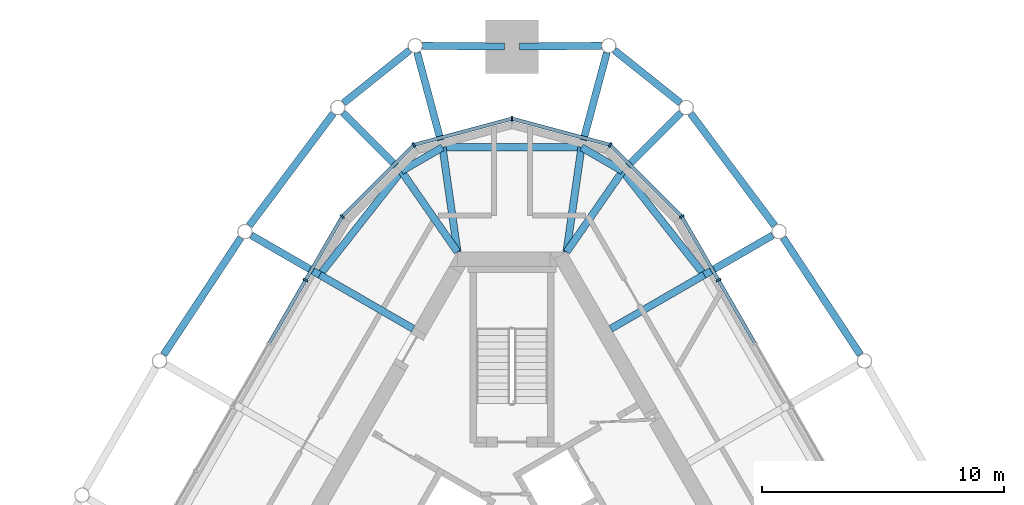
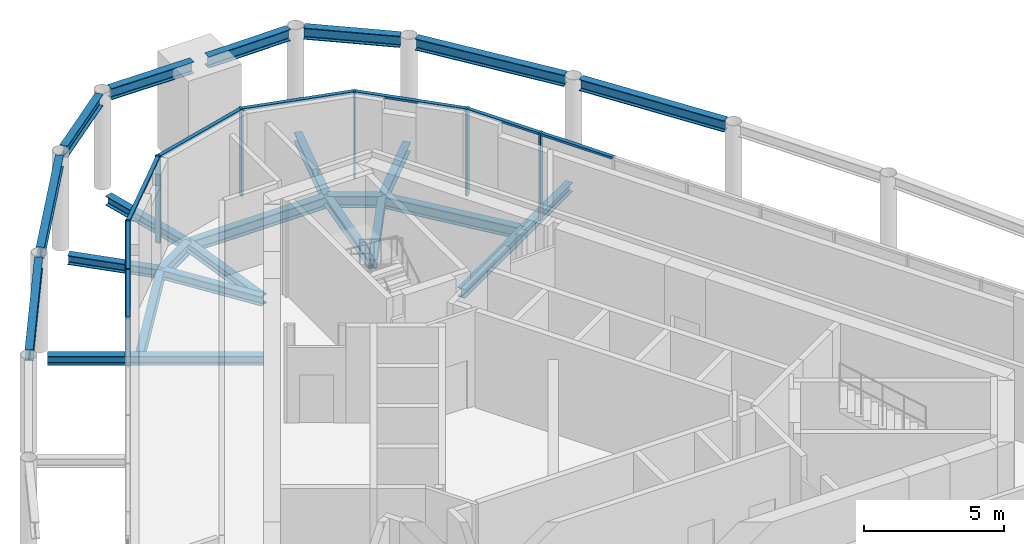
# One storey, part 5 of 11: 25 beams, 15 members, 3 elements without a shape of their own.
"""IFC4 building model written with IfcOpenShell, lengths in metres."""

from ifc_helpers import new_model, si_unit, direction, frame, origin, origin_2d, place, context, subcontext, project, spatial, rectangle, i_section, extrude, material, material_profile, profile_set, type_object, element, aggregate, save


model = new_model("IFC4")

# Units and contexts
model_context = context("Model", 3, precision=1e-05, world=origin(), true_north=direction((0.0, 1.0)))
body_context = subcontext(model_context, "Body", "Model", "MODEL_VIEW")
ifc_project = project(units=[si_unit("LENGTHUNIT", "METRE"), si_unit("AREAUNIT", "SQUARE_METRE"), si_unit("VOLUMEUNIT", "CUBIC_METRE"), si_unit("PLANEANGLEUNIT", "RADIAN"), si_unit("MASSUNIT", "GRAM", prefix="KILO")], contexts=[model_context])

# Site, building, storey
site_placement = place(None, origin())
site = spatial("IfcSite", under=ifc_project, at=site_placement, CompositionType="ELEMENT")
building_placement = place(site_placement, origin())
building = spatial("IfcBuilding", under=site, at=building_placement, Name="Mestral Congress Tower", CompositionType="ELEMENT")
storey_placement = place(building_placement, frame((0.0, 0.0, 344.39990234375)))
storey = spatial("IfcBuildingStorey", under=building, at=storey_placement, Name="L80", CompositionType="ELEMENT", Elevation=344.39990234375)

# Curtain wall, members
ifc_material_1 = material(Name="Glazed ceramic", Category="masonry")
curtain_wall_type = type_object("IfcCurtainWallType", Name="Facade plant louvre screen", PredefinedType="USERDEFINED", material=ifc_material_1)
placement = place(storey_placement, origin())
curtain_wall_1 = element("IfcCurtainWall", 1, at=placement, inside=storey, type_object=curtain_wall_type, Name="Plant louvre screen side 2", ObjectType="CURTAIN WALL", PredefinedType="USERDEFINED")
ifc_material_2 = material(Name="Anodised aluminium", Category="aluminium")
ifc_material_profile_1 = material_profile(ifc_material_2, rectangle(XDim=0.199951171875, YDim=0.080078125, at=origin_2d()), Name="CW6 mullion 200 x 80")
ifc_profile_set_1 = profile_set([ifc_material_profile_1], Name="Anodised aluminium")
member_type_1 = type_object("IfcMemberType", Name="Facade plant louvre screen mullion", PredefinedType="MULLION", material=ifc_profile_set_1)
member_1_placement = place(storey_placement, frame((8.525390625, 15.43359375, 0.0), z_axis=(0.0, 0.0, 1.0), x_axis=(0.866024531118, 0.500001511499, 0.0)))
member_1 = element("IfcMember", 2, at=member_1_placement, type_object=member_type_1, Name="Facade plant louvre screen mullion", PredefinedType="MULLION", context=body_context, shape_type="SweptSolid", body=[
    extrude(rectangle(XDim=0.199951171875, YDim=0.080078125, at=origin_2d()), origin(), (0.0, 0.0, 1.0), 3.800048828125),
])
member_2_placement = place(storey_placement, frame((7.00830078125, 18.061279296875, 0.0), z_axis=(0.0, 0.0, 1.0), x_axis=(0.866024531118, 0.500001511499, 0.0)))
member_2 = element("IfcMember", 3, at=member_2_placement, type_object=member_type_1, Name="Facade plant louvre screen mullion", PredefinedType="MULLION", context=body_context, shape_type="SweptSolid", body=[
    extrude(rectangle(XDim=0.199951171875, YDim=0.080078125, at=origin_2d()), origin(), (0.0, 0.0, 1.0), 3.800048828125),
])

curtain_wall_2 = element("IfcCurtainWall", 4, at=placement, inside=storey, type_object=curtain_wall_type, Name="Plant louvre screen corner 3", ObjectType="CURTAIN WALL", PredefinedType="USERDEFINED")
member_3_placement = place(storey_placement, frame((4.0517578125, 21.017822265625, 0.0), z_axis=(0.0, 0.0, 1.0), x_axis=(0.5, 0.866025403784, 0.0)))
member_3 = element("IfcMember", 5, at=member_3_placement, type_object=member_type_1, Name="Facade plant louvre screen mullion", PredefinedType="MULLION", context=body_context, shape_type="SweptSolid", body=[
    extrude(rectangle(XDim=0.199951171875, YDim=0.080078125, at=origin_2d()), origin(), (0.0, 0.0, 1.0), 3.800048828125),
])
member_4_placement = place(storey_placement, frame((0.0, 22.103515625, 0.0), z_axis=(0.0, 0.0, 1.0), x_axis=(0.0, 1.0, 0.0)))
member_4 = element("IfcMember", 6, at=member_4_placement, type_object=member_type_1, Name="Facade plant louvre screen mullion", PredefinedType="MULLION", context=body_context, shape_type="SweptSolid", body=[
    extrude(rectangle(XDim=0.199951171875, YDim=0.080078125, at=origin_2d()), origin(), (0.0, 0.0, 1.0), 3.800048828125),
])
member_5_placement = place(storey_placement, frame((-4.0517578125, 21.017822265625, 0.0), z_axis=(0.0, 0.0, 1.0), x_axis=(-0.5, 0.866025403784, 0.0)))
member_5 = element("IfcMember", 7, at=member_5_placement, type_object=member_type_1, Name="Facade plant louvre screen mullion", PredefinedType="MULLION", context=body_context, shape_type="SweptSolid", body=[
    extrude(rectangle(XDim=0.199951171875, YDim=0.080078125, at=origin_2d()), origin(), (0.0, 0.0, 1.0), 3.800048828125),
])
member_6_placement = place(storey_placement, frame((-7.00830078125, 18.061279296875, 0.0), z_axis=(0.0, 0.0, 1.0), x_axis=(-0.707106781187, 0.707106781187, 0.0)))
member_6 = element("IfcMember", 8, at=member_6_placement, type_object=member_type_1, Name="Facade plant louvre screen mullion", PredefinedType="MULLION", context=body_context, shape_type="SweptSolid", body=[
    extrude(rectangle(XDim=0.199951171875, YDim=0.080078125, at=origin_2d()), origin(), (0.0, 0.0, 1.0), 3.800048828125),
])

# Curtain wall, member
curtain_wall_3 = element("IfcCurtainWall", 9, at=placement, inside=storey, type_object=curtain_wall_type, Name="Plant louvre screen side 4", ObjectType="CURTAIN WALL", PredefinedType="USERDEFINED")
member_7_placement = place(storey_placement, frame((-8.525390625, 15.43359375, 0.0), z_axis=(0.0, 0.0, 1.0), x_axis=(-0.866024531118, 0.500001511499, 0.0)))
member_7 = element("IfcMember", 10, at=member_7_placement, type_object=member_type_1, Name="Facade plant louvre screen mullion", PredefinedType="MULLION", context=body_context, shape_type="SweptSolid", body=[
    extrude(rectangle(XDim=0.199951171875, YDim=0.080078125, at=origin_2d()), origin(), (0.0, 0.0, 1.0), 3.800048828125),
])

# Member
ifc_material_profile_2 = material_profile(ifc_material_2, rectangle(XDim=0.14990234375, YDim=0.10009765625, at=origin_2d()), Name="CW6 transom 150 x 100")
ifc_profile_set_2 = profile_set([ifc_material_profile_2], Name="Anodised aluminium")
member_type_2 = type_object("IfcMemberType", Name="Facade plant louvre screen transom", PredefinedType="USERDEFINED", material=ifc_profile_set_2)
member_8_placement = place(storey_placement, frame((10.022705078125, 12.84033203125, 3.75), z_axis=(-0.50002288008, 0.866012193561, 0.0), x_axis=(-0.866012193561, -0.50002288008, 0.0)))
member_8 = element("IfcMember", 11, at=member_8_placement, type_object=member_type_2, Name="Facade plant louvre screen transom", ObjectType="TRANSOM", PredefinedType="USERDEFINED", context=body_context, shape_type="SweptSolid", body=[
    extrude(rectangle(XDim=0.14990234375, YDim=0.10009765625, at=origin_2d()), origin(), (0.0, 0.0, 1.0), 2.954345703125),
])

member_9_placement = place(storey_placement, frame((8.50537109375, 15.46826171875, 3.75), z_axis=(-0.499960902066, 0.86604797581, 0.0), x_axis=(-0.86604797581, -0.499960902066, 0.0)))
member_9 = element("IfcMember", 12, at=member_9_placement, type_object=member_type_2, Name="Facade plant louvre screen transom", ObjectType="TRANSOM", PredefinedType="USERDEFINED", context=body_context, shape_type="SweptSolid", body=[
    extrude(rectangle(XDim=0.14990234375, YDim=0.10009765625, at=origin_2d()), origin(), (0.0, 0.0, 1.0), 2.954345703125),
])

aggregate(curtain_wall_1, [member_1, member_2, member_8, member_9])

member_10_placement = place(storey_placement, frame((6.97998046875, 18.089599609375, 3.75), z_axis=(-0.707106781187, 0.707106781187, 0.0), x_axis=(-0.707106781187, -0.707106781187, 0.0)))
member_10 = element("IfcMember", 13, at=member_10_placement, type_object=member_type_2, Name="Facade plant louvre screen transom", ObjectType="TRANSOM", PredefinedType="USERDEFINED", context=body_context, shape_type="SweptSolid", body=[
    extrude(rectangle(XDim=0.14990234375, YDim=0.10009765625, at=origin_2d()), origin(), (0.0, 0.0, 1.0), 4.10107421875),
])

member_11_placement = place(storey_placement, frame((4.01318359375, 21.0283203125, 3.75), z_axis=(-0.965928983476, 0.258807262034, 0.0), x_axis=(-0.258807262034, -0.965928983476, 0.0)))
member_11 = element("IfcMember", 14, at=member_11_placement, type_object=member_type_2, Name="Facade plant louvre screen transom", ObjectType="TRANSOM", PredefinedType="USERDEFINED", context=body_context, shape_type="SweptSolid", body=[
    extrude(rectangle(XDim=0.14990234375, YDim=0.10009765625, at=origin_2d()), origin(), (0.0, 0.0, 1.0), 4.11474609375),
])

member_12_placement = place(storey_placement, frame((-0.03857421875, 22.09326171875, 3.75), z_axis=(-0.965928983476, -0.258807262034, 0.0), x_axis=(0.258807262034, -0.965928983476, 0.0)))
member_12 = element("IfcMember", 15, at=member_12_placement, type_object=member_type_2, Name="Facade plant louvre screen transom", ObjectType="TRANSOM", PredefinedType="USERDEFINED", context=body_context, shape_type="SweptSolid", body=[
    extrude(rectangle(XDim=0.14990234375, YDim=0.10009765625, at=origin_2d()), origin(), (0.0, 0.0, 1.0), 4.11474609375),
])

member_13_placement = place(storey_placement, frame((-4.080078125, 20.989501953125, 3.75), z_axis=(-0.707106781187, -0.707106781187, 0.0), x_axis=(0.707106781187, -0.707106781187, 0.0)))
member_13 = element("IfcMember", 16, at=member_13_placement, type_object=member_type_2, Name="Facade plant louvre screen transom", ObjectType="TRANSOM", PredefinedType="USERDEFINED", context=body_context, shape_type="SweptSolid", body=[
    extrude(rectangle(XDim=0.14990234375, YDim=0.10009765625, at=origin_2d()), origin(), (0.0, 0.0, 1.0), 4.10107421875),
])

aggregate(curtain_wall_2, [member_3, member_4, member_5, member_6, member_10, member_11, member_12, member_13])

member_14_placement = place(storey_placement, frame((-7.0283203125, 18.02685546875, 3.75), z_axis=(-0.499960902066, -0.86604797581, 0.0), x_axis=(0.86604797581, -0.499960902066, 0.0)))
member_14 = element("IfcMember", 17, at=member_14_placement, type_object=member_type_2, Name="Facade plant louvre screen transom", ObjectType="TRANSOM", PredefinedType="USERDEFINED", context=body_context, shape_type="SweptSolid", body=[
    extrude(rectangle(XDim=0.14990234375, YDim=0.10009765625, at=origin_2d()), origin(), (0.0, 0.0, 1.0), 2.954345703125),
])

member_15_placement = place(storey_placement, frame((-8.54541015625, 15.39892578125, 3.75), z_axis=(-0.50002288008, -0.866012193561, 0.0), x_axis=(0.866012193561, -0.50002288008, 0.0)))
member_15 = element("IfcMember", 18, at=member_15_placement, type_object=member_type_2, Name="Facade plant louvre screen transom", ObjectType="TRANSOM", PredefinedType="USERDEFINED", context=body_context, shape_type="SweptSolid", body=[
    extrude(rectangle(XDim=0.14990234375, YDim=0.10009765625, at=origin_2d()), origin(), (0.0, 0.0, 1.0), 2.954345703125),
])

aggregate(curtain_wall_3, [member_7, member_14, member_15])

# Beams
ifc_material_3 = material(Name="Steel S355", Category="steel")
ifc_material_profile_3 = material_profile(ifc_material_3, i_section(OverallWidth=0.300048828125, OverallDepth=0.39990234375, WebThickness=0.013427734375, FlangeThickness=0.02392578125, FilletRadius=0.027099609375, at=origin_2d()), Name="HEB 400")
ifc_profile_set_3 = profile_set([ifc_material_profile_3], Name="Steel S355")
beam_type_1 = type_object("IfcBeamType", Name="Floor beam HEB 400 S355", PredefinedType="BEAM", material=ifc_profile_set_3)
beam_1_placement = place(storey_placement, frame((-4.083251953125, 13.427734375, -0.449951171875), z_axis=(-0.866036664382, 0.499980495566, 0.0), x_axis=(-0.499980495566, -0.866036664382, 0.0)))
element("IfcBeam", 19, at=beam_1_placement, inside=storey, type_object=beam_type_1, Name="BM-L80-KR11", PredefinedType="BEAM", context=body_context, shape_type="SweptSolid", body=[
    extrude(i_section(OverallWidth=0.300048828125, OverallDepth=0.39990234375, WebThickness=0.013427734375, FlangeThickness=0.02392578125, FilletRadius=0.027099609375, at=origin_2d()), origin(), (0.0, 0.0, 1.0), 4.449951171875),
])
beam_2_placement = place(storey_placement, frame((-2.251708984375, 16.60009765625, -0.449951171875), z_axis=(-0.570662800291, 0.821184491064, 0.0), x_axis=(-0.821184491064, -0.570662800291, 0.0)))
element("IfcBeam", 20, at=beam_2_placement, inside=storey, type_object=beam_type_1, Name="BM-L80-KR12", PredefinedType="BEAM", context=body_context, shape_type="SweptSolid", body=[
    extrude(i_section(OverallWidth=0.300048828125, OverallDepth=0.39990234375, WebThickness=0.013427734375, FlangeThickness=0.02392578125, FilletRadius=0.027099609375, at=origin_2d()), origin(), (0.0, 0.0, 1.0), 4.060791015625),
])
for number, where, z_axis, x_axis, name in (
    (21, (-2.251708984375, 16.60009765625, -0.449951171875), (-0.141523162666, 0.989934944544, 0.0), (-0.989934944544, -0.141523162666, 0.0), "BM-L80-KR13"),
    (22, (2.251708984375, 16.60009765625, -0.449951171875), (0.141523162666, 0.989934944544, 0.0), (-0.989934944544, 0.141523162666, 0.0), "BM-L80-KR14"),
):
    element("IfcBeam", number, at=place(storey_placement, frame(where, z_axis=z_axis, x_axis=x_axis)), inside=storey, type_object=beam_type_1, Name=name, PredefinedType="BEAM", context=body_context, shape_type="SweptSolid", body=[
        extrude(i_section(OverallWidth=0.300048828125, OverallDepth=0.39990234375, WebThickness=0.013427734375, FlangeThickness=0.02392578125, FilletRadius=0.027099609375, at=origin_2d()), origin(), (0.0, 0.0, 1.0), 4.364501953125),
    ])
beam_3_placement = place(storey_placement, frame((2.251708984375, 16.60009765625, -0.449951171875), z_axis=(0.570662800291, 0.821184491064, 0.0), x_axis=(-0.821184491064, 0.570662800291, 0.0)))
element("IfcBeam", 23, at=beam_3_placement, inside=storey, type_object=beam_type_1, Name="BM-L80-KR15", PredefinedType="BEAM", context=body_context, shape_type="SweptSolid", body=[
    extrude(i_section(OverallWidth=0.300048828125, OverallDepth=0.39990234375, WebThickness=0.013427734375, FlangeThickness=0.02392578125, FilletRadius=0.027099609375, at=origin_2d()), origin(), (0.0, 0.0, 1.0), 4.060791015625),
])
beam_4_placement = place(storey_placement, frame((4.083251953125, 13.427734375, -0.449951171875), z_axis=(0.866036664382, 0.499980495566, 0.0), x_axis=(-0.499980495566, 0.866036664382, 0.0)))
element("IfcBeam", 24, at=beam_4_placement, inside=storey, type_object=beam_type_1, Name="BM-L80-KR16", PredefinedType="BEAM", context=body_context, shape_type="SweptSolid", body=[
    extrude(i_section(OverallWidth=0.300048828125, OverallDepth=0.39990234375, WebThickness=0.013427734375, FlangeThickness=0.02392578125, FilletRadius=0.027099609375, at=origin_2d()), origin(), (0.0, 0.0, 1.0), 4.449951171875),
])
beam_5_placement = place(storey_placement, frame((-10.767822265625, 17.287109375, -0.449951171875), z_axis=(0.866005234444, -0.500034932695, 0.0), x_axis=(0.500034932695, 0.866005234444, 0.0)))
element("IfcBeam", 25, at=beam_5_placement, inside=storey, type_object=beam_type_1, Name="BM-L80-KT-C5-W01", PredefinedType="BEAM", context=body_context, shape_type="SweptSolid", body=[
    extrude(i_section(OverallWidth=0.300048828125, OverallDepth=0.39990234375, WebThickness=0.013427734375, FlangeThickness=0.02392578125, FilletRadius=0.027099609375, at=origin_2d()), origin(), (0.0, 0.0, 1.0), 3.268798828125),
])
beam_6_placement = place(storey_placement, frame((-6.979736328125, 22.34521484375, -0.449951171875), z_axis=(0.707142588594, -0.707070971966, 0.0), x_axis=(0.707070971966, 0.707142588594, 0.0)))
element("IfcBeam", 26, at=beam_6_placement, inside=storey, type_object=beam_type_1, Name="BM-L80-KT-C5-W00", PredefinedType="BEAM", context=body_context, shape_type="SweptSolid", body=[
    extrude(i_section(OverallWidth=0.300048828125, OverallDepth=0.39990234375, WebThickness=0.013427734375, FlangeThickness=0.02392578125, FilletRadius=0.027099609375, at=origin_2d()), origin(), (0.0, 0.0, 1.0), 3.408935546875),
])
for number, where, z_axis, x_axis, name in (
    (27, (-3.91455078125, 24.821533203125, -0.449951171875), (0.258802563966, -0.965930242246, 0.0), (0.965930242246, 0.258802563966, 0.0), "BM-L80-KT-C5-N3"),
    (28, (3.91455078125, 24.821533203125, -0.449951171875), (-0.258802563966, -0.965930242246, 0.0), (0.965930242246, -0.258802563966, 0.0), "BM-L80-KT-C5-N1"),
):
    element("IfcBeam", number, at=place(storey_placement, frame(where, z_axis=z_axis, x_axis=x_axis)), inside=storey, type_object=beam_type_1, Name=name, PredefinedType="BEAM", context=body_context, shape_type="SweptSolid", body=[
        extrude(i_section(OverallWidth=0.300048828125, OverallDepth=0.39990234375, WebThickness=0.013427734375, FlangeThickness=0.02392578125, FilletRadius=0.027099609375, at=origin_2d()), origin(), (0.0, 0.0, 1.0), 4.03857421875),
    ])
beam_7_placement = place(storey_placement, frame((6.979736328125, 22.34521484375, -0.449951171875), z_axis=(-0.707142588594, -0.707070971966, 0.0), x_axis=(0.707070971966, -0.707142588594, 0.0)))
element("IfcBeam", 29, at=beam_7_placement, inside=storey, type_object=beam_type_1, Name="BM-L80-KT-C5-E05", PredefinedType="BEAM", context=body_context, shape_type="SweptSolid", body=[
    extrude(i_section(OverallWidth=0.300048828125, OverallDepth=0.39990234375, WebThickness=0.013427734375, FlangeThickness=0.02392578125, FilletRadius=0.027099609375, at=origin_2d()), origin(), (0.0, 0.0, 1.0), 3.408935546875),
])
beam_8_placement = place(storey_placement, frame((10.767822265625, 17.287109375, -0.449951171875), z_axis=(-0.866005234444, -0.500034932695, 0.0), x_axis=(0.500034932695, -0.866005234444, 0.0)))
element("IfcBeam", 30, at=beam_8_placement, inside=storey, type_object=beam_type_1, Name="BM-L80-KT-C5-E04", PredefinedType="BEAM", context=body_context, shape_type="SweptSolid", body=[
    extrude(i_section(OverallWidth=0.300048828125, OverallDepth=0.39990234375, WebThickness=0.013427734375, FlangeThickness=0.02392578125, FilletRadius=0.027099609375, at=origin_2d()), origin(), (0.0, 0.0, 1.0), 3.268798828125),
])
ifc_material_profile_4 = material_profile(ifc_material_3, i_section(OverallWidth=0.300048828125, OverallDepth=0.5, WebThickness=0.014404296875, FlangeThickness=0.028076171875, FilletRadius=0.027099609375, at=origin_2d()), Name="HEB 500")
ifc_profile_set_4 = profile_set([ifc_material_profile_4], Name="Steel S355")
beam_type_2 = type_object("IfcBeamType", Name="Floor beam HEB 500 S355", PredefinedType="BEAM", material=ifc_profile_set_4)
beam_9_placement = place(storey_placement, frame((-7.93701171875, 15.652587890625, -0.5), z_axis=(0.618197515987, 0.786022793071, 0.0), x_axis=(-0.786022793071, 0.618197515987, 0.0)))
element("IfcBeam", 31, at=beam_9_placement, inside=storey, type_object=beam_type_2, Name="BM-L80-KG11", PredefinedType="BEAM", context=body_context, shape_type="SweptSolid", body=[
    extrude(i_section(OverallWidth=0.300048828125, OverallDepth=0.5, WebThickness=0.014404296875, FlangeThickness=0.028076171875, FilletRadius=0.027099609375, at=origin_2d()), origin(), (0.0, 0.0, 1.0), 5.447998046875),
])
beam_10_placement = place(storey_placement, frame((-4.569091796875, 19.934814453125, -0.5), z_axis=(0.865029032264, 0.501721808716, 0.0), x_axis=(-0.501721808716, 0.865029032264, 0.0)))
element("IfcBeam", 32, at=beam_10_placement, inside=storey, type_object=beam_type_2, Name="BM-L80-KG12", PredefinedType="BEAM", context=body_context, shape_type="SweptSolid", body=[
    extrude(i_section(OverallWidth=0.300048828125, OverallDepth=0.5, WebThickness=0.014404296875, FlangeThickness=0.028076171875, FilletRadius=0.027099609375, at=origin_2d()), origin(), (0.0, 0.0, 1.0), 1.96484375),
])
beam_11_placement = place(storey_placement, frame((-2.869384765625, 20.920654296875, -0.5), z_axis=(1.0, 0.0, 0.0), x_axis=(0.0, 1.0, 0.0)))
element("IfcBeam", 33, at=beam_11_placement, inside=storey, type_object=beam_type_2, Name="BM-L80-KG13", PredefinedType="BEAM", context=body_context, shape_type="SweptSolid", body=[
    extrude(i_section(OverallWidth=0.300048828125, OverallDepth=0.5, WebThickness=0.014404296875, FlangeThickness=0.028076171875, FilletRadius=0.027099609375, at=origin_2d()), origin(), (0.0, 0.0, 1.0), 5.73876953125),
])
beam_12_placement = place(storey_placement, frame((2.869384765625, 20.920654296875, -0.5), z_axis=(0.865029032264, -0.501721808716, 0.0), x_axis=(0.501721808716, 0.865029032264, 0.0)))
element("IfcBeam", 34, at=beam_12_placement, inside=storey, type_object=beam_type_2, Name="BM-L80-KG14", PredefinedType="BEAM", context=body_context, shape_type="SweptSolid", body=[
    extrude(i_section(OverallWidth=0.300048828125, OverallDepth=0.5, WebThickness=0.014404296875, FlangeThickness=0.028076171875, FilletRadius=0.027099609375, at=origin_2d()), origin(), (0.0, 0.0, 1.0), 1.96484375),
])
beam_13_placement = place(storey_placement, frame((4.569091796875, 19.934814453125, -0.5), z_axis=(0.618197515987, -0.786022793071, 0.0), x_axis=(0.786022793071, 0.618197515987, 0.0)))
element("IfcBeam", 35, at=beam_13_placement, inside=storey, type_object=beam_type_2, Name="BM-L80-KG15", PredefinedType="BEAM", context=body_context, shape_type="SweptSolid", body=[
    extrude(i_section(OverallWidth=0.300048828125, OverallDepth=0.5, WebThickness=0.014404296875, FlangeThickness=0.028076171875, FilletRadius=0.027099609375, at=origin_2d()), origin(), (0.0, 0.0, 1.0), 5.447998046875),
])
for number, where, z_axis, x_axis, name in (
    (36, (14.38818359375, 12.35302734375, 3.9501953125), (-0.550732923629, 0.834681524194, 0.0), (-0.834681524194, -0.550732923629, 0.0), "BM-L80-KRIM12"),
    (37, (10.84912109375, 17.68359375, 3.9501953125), (-0.599527560821, 0.800354111513, 0.0), (-0.800354111513, -0.599527560821, 0.0), "BM-L80-KRIM13"),
):
    element("IfcBeam", number, at=place(storey_placement, frame(where, z_axis=z_axis, x_axis=x_axis)), inside=storey, type_object=beam_type_2, Name=name, PredefinedType="BEAM", context=body_context, shape_type="SweptSolid", body=[
        extrude(i_section(OverallWidth=0.300048828125, OverallDepth=0.5, WebThickness=0.014404296875, FlangeThickness=0.028076171875, FilletRadius=0.027099609375, at=origin_2d()), origin(), (0.0, 0.0, 1.0), 5.7890625),
    ])
beam_14_placement = place(storey_placement, frame((6.95703125, 22.751220703125, 3.9501953125), z_axis=(-0.781640216995, 0.623729565738, 0.0), x_axis=(-0.623729565738, -0.781640216995, 0.0)))
element("IfcBeam", 38, at=beam_14_placement, inside=storey, type_object=beam_type_2, Name="BM-L80-KRIM14", PredefinedType="BEAM", context=body_context, shape_type="SweptSolid", body=[
    extrude(i_section(OverallWidth=0.300048828125, OverallDepth=0.5, WebThickness=0.014404296875, FlangeThickness=0.028076171875, FilletRadius=0.027099609375, at=origin_2d()), origin(), (0.0, 0.0, 1.0), 3.486328125),
])
for number, where, z_axis, x_axis, name in (
    (39, (3.6884765625, 25.11328125, 3.9501953125), (-0.999954645067, -0.009524064734, 0.0), (0.009524064734, -0.999954645067, 0.0), "BM-L80-KRIM15"),
    (40, (-0.304931640625, 25.0810546875, 3.9501953125), (-0.999954645067, 0.009524064734, 0.0), (-0.009524064734, -0.999954645067, 0.0), "BM-L80-KRIM16"),
):
    element("IfcBeam", number, at=place(storey_placement, frame(where, z_axis=z_axis, x_axis=x_axis)), inside=storey, type_object=beam_type_2, Name=name, PredefinedType="BEAM", context=body_context, shape_type="SweptSolid", body=[
        extrude(i_section(OverallWidth=0.300048828125, OverallDepth=0.5, WebThickness=0.014404296875, FlangeThickness=0.028076171875, FilletRadius=0.027099609375, at=origin_2d()), origin(), (0.0, 0.0, 1.0), 3.3837890625),
    ])
beam_15_placement = place(storey_placement, frame((-4.23193359375, 24.92578125, 3.9501953125), z_axis=(-0.781640216995, -0.623729565738, 0.0), x_axis=(0.623729565738, -0.781640216995, 0.0)))
element("IfcBeam", 41, at=beam_15_placement, inside=storey, type_object=beam_type_2, Name="BM-L80-KRIM17", PredefinedType="BEAM", context=body_context, shape_type="SweptSolid", body=[
    extrude(i_section(OverallWidth=0.300048828125, OverallDepth=0.5, WebThickness=0.014404296875, FlangeThickness=0.028076171875, FilletRadius=0.027099609375, at=origin_2d()), origin(), (0.0, 0.0, 1.0), 3.486328125),
])
for number, where, z_axis, x_axis, name in (
    (42, (-7.37841796875, 22.31689453125, 3.9501953125), (-0.599527560821, -0.800354111513, 0.0), (0.800354111513, -0.599527560821, 0.0), "BM-L80-KRIM18"),
    (43, (-11.199951171875, 17.18505859375, 3.9501953125), (-0.550732923629, -0.834681524194, 0.0), (0.834681524194, -0.550732923629, 0.0), "BM-L80-KRIM19"),
):
    element("IfcBeam", number, at=place(storey_placement, frame(where, z_axis=z_axis, x_axis=x_axis)), inside=storey, type_object=beam_type_2, Name=name, PredefinedType="BEAM", context=body_context, shape_type="SweptSolid", body=[
        extrude(i_section(OverallWidth=0.300048828125, OverallDepth=0.5, WebThickness=0.014404296875, FlangeThickness=0.028076171875, FilletRadius=0.027099609375, at=origin_2d()), origin(), (0.0, 0.0, 1.0), 5.7890625),
    ])

save(model, "model.ifc")
